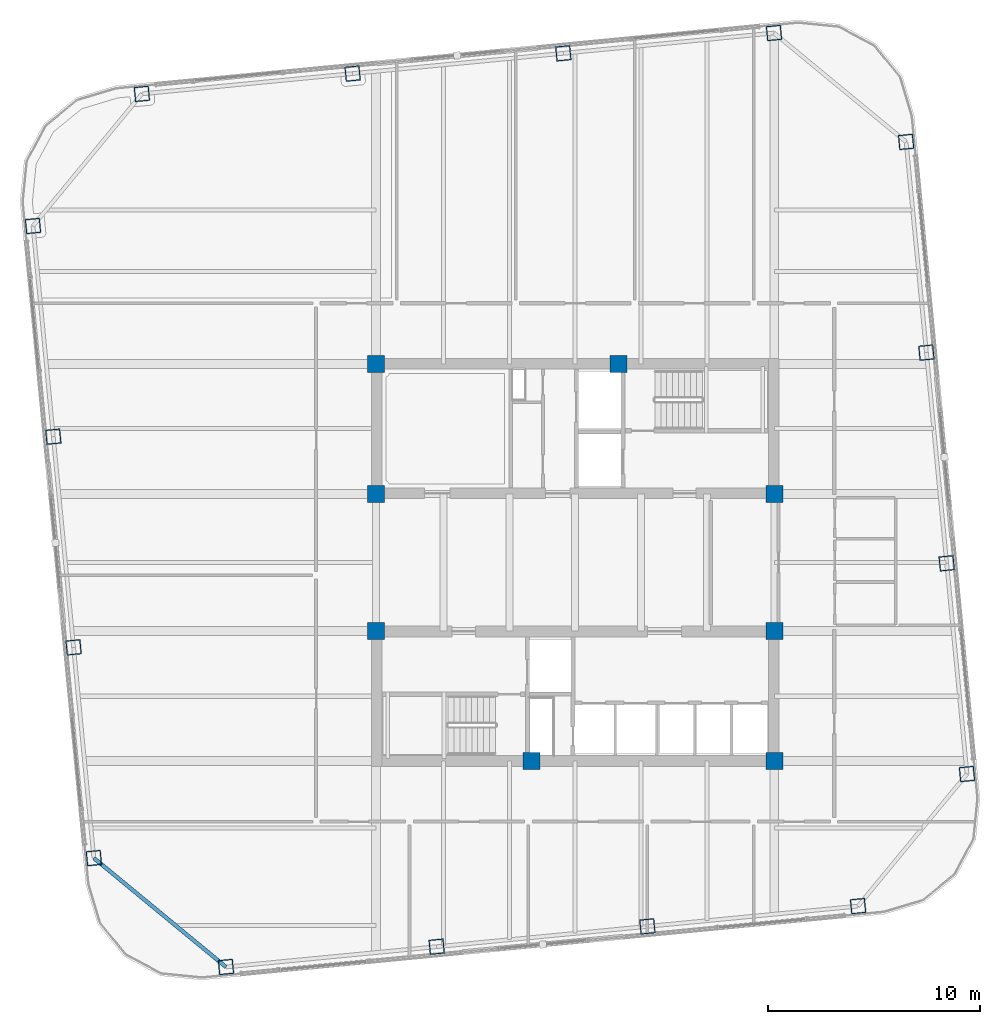
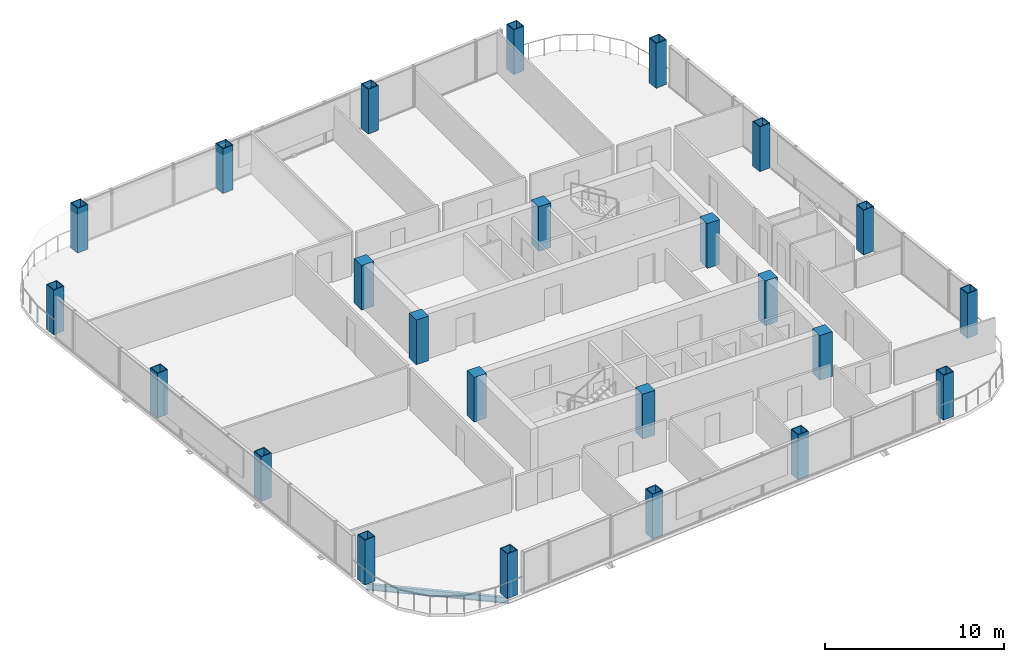
# One storey, part 1 of 22: 24 columns, 1 beam.
"""IFC4 building model written with IfcOpenShell, lengths in metres."""

from ifc_helpers import new_model, si_unit, direction, frame, origin, origin_2d, place, context, subcontext, project, spatial, rectangle, hollow_rectangle, i_section, extrude, material, material_profile, profile_set, type_object, element, save


model = new_model("IFC4")

# Units and contexts
model_context = context("Model", 3, precision=1e-05, world=origin(), true_north=direction((0.0, 1.0)))
body_context = subcontext(model_context, "Body", "Model", "MODEL_VIEW")
ifc_project = project(units=[si_unit("LENGTHUNIT", "METRE"), si_unit("AREAUNIT", "SQUARE_METRE"), si_unit("VOLUMEUNIT", "CUBIC_METRE"), si_unit("PLANEANGLEUNIT", "RADIAN"), si_unit("MASSUNIT", "GRAM", prefix="KILO")], contexts=[model_context])

# Site, building, storey
site_placement = place(None, origin())
site = spatial("IfcSite", under=ifc_project, at=site_placement, CompositionType="ELEMENT")
building_placement = place(site_placement, origin())
building = spatial("IfcBuilding", under=site, at=building_placement, Name="Qhalaya Broadcast Tower", CompositionType="ELEMENT")
storey_placement = place(building_placement, frame((0.0, 0.0, 171.39990234375)))
storey = spatial("IfcBuildingStorey", under=building, at=storey_placement, Name="L50", CompositionType="ELEMENT", Elevation=171.39990234375)

# Columns
ifc_material_1 = material(Name="Concrete C50/60", Category="concrete")
ifc_material_profile_1 = material_profile(ifc_material_1, rectangle(XDim=0.800048828125, YDim=0.800048828125, at=origin_2d()), Name="RC-COL 800x800")
ifc_profile_set_1 = profile_set([ifc_material_profile_1], Name="Concrete C50/60")
column_type_1 = type_object("IfcColumnType", Name="RC Upper Column C10", PredefinedType="COLUMN", material=ifc_profile_set_1)
for number, where, z_axis, x_axis, name in (
    (1, (-9.375, 9.949951171875, 0.0), (0.0, 0.0, 1.0), (1.0, 0.0, 0.0), "L50 Column COL-CC1"),
    (2, (2.050048828125, 9.949951171875, 0.0), (0.0, 0.0, 1.0), (1.0, 0.0, 0.0), "L50 Column COL-CC2"),
    (3, (-9.375, 3.824951171875, 0.0), (0.0, 0.0, 1.0), (1.0, 0.0, 0.0), "L50 Column COL-CC3"),
    (4, (9.375, 3.824951171875, 0.0), (0.0, 0.0, 1.0), (1.0, 0.0, 0.0), "L50 Column COL-CC4"),
    (5, (-9.375, -2.625, 0.0), (0.0, 0.0, 1.0), (1.0, 0.0, 0.0), "L50 Column COL-CC5"),
    (6, (9.375, -2.625, 0.0), (0.0, 0.0, 1.0), (1.0, 0.0, 0.0), "L50 Column COL-CC6"),
    (7, (-2.050048828125, -8.75, 0.0), (0.0, 0.0, 1.0), (1.0, 0.0, 0.0), "L50 Column COL-CC7"),
    (8, (9.375, -8.75, 0.0), (0.0, 0.0, 1.0), (1.0, 0.0, 0.0), "L50 Column COL-CC8"),
):
    element("IfcColumn", number, at=place(storey_placement, frame(where, z_axis=z_axis, x_axis=x_axis)), inside=storey, type_object=column_type_1, Name=name, PredefinedType="COLUMN", context=body_context, shape_type="SweptSolid", body=[
        extrude(rectangle(XDim=0.800048828125, YDim=0.800048828125, at=origin_2d()), origin(), (0.0, 0.0, 1.0), 3.050048828125),
    ])
ifc_material_2 = material(Name="Structural Steel ASTM A572 Grade 50", Category="steel")
ifc_material_profile_2 = material_profile(ifc_material_2, hollow_rectangle(XDim=0.699951171875, YDim=0.699951171875, WallThickness=0.044921875, at=origin_2d()), Name="BOX 700x700x45")
ifc_profile_set_2 = profile_set([ifc_material_profile_2], Name="Structural Steel ASTM A572 Grade 50")
column_type_2 = type_object("IfcColumnType", Name="Steel Box Column C04", PredefinedType="COLUMN", material=ifc_profile_set_2)
for number, where, z_axis, x_axis, name in (
    (9, (-16.44189453125, -18.44775390625, 0.0), (0.0, 0.0, 1.0), (0.995396198367, 0.09584575252, 0.0), "L50 Column COL-EX01"),
    (10, (-6.521240234375, -17.49267578125, 0.0), (0.0, 0.0, 1.0), (0.995396198367, 0.09584575252, 0.0), "L50 Column COL-EX02"),
    (11, (3.399658203125, -16.537353515625, 0.0), (0.0, 0.0, 1.0), (0.995396198367, 0.09584575252, 0.0), "L50 Column COL-EX03"),
    (12, (13.3203125, -15.58203125, 0.0), (0.0, 0.0, 1.0), (0.995396198367, 0.09584575252, 0.0), "L50 Column COL-EX04"),
    (13, (18.44775390625, -9.362060546875, 0.0), (0.0, 0.0, 1.0), (-0.09584575252, 0.995396198367, 0.0), "L50 Column COL-EX05"),
    (14, (17.49267578125, 0.558837890625, 0.0), (0.0, 0.0, 1.0), (-0.09584575252, 0.995396198367, 0.0), "L50 Column COL-EX06"),
    (15, (16.537353515625, 10.4794921875, 0.0), (0.0, 0.0, 1.0), (-0.09584575252, 0.995396198367, 0.0), "L50 Column COL-EX07"),
    (16, (15.58203125, 20.400390625, 0.0), (0.0, 0.0, 1.0), (-0.09584575252, 0.995396198367, 0.0), "L50 Column COL-EX08"),
    (17, (9.362060546875, 25.52783203125, 0.0), (0.0, 0.0, 1.0), (0.995396198367, 0.09584575252, 0.0), "L50 Column COL-EX09"),
    (18, (-0.558837890625, 24.572509765625, 0.0), (0.0, 0.0, 1.0), (0.995396198367, 0.09584575252, 0.0), "L50 Column COL-EX10"),
    (19, (-10.4794921875, 23.6171875, 0.0), (0.0, 0.0, 1.0), (0.995396198367, 0.09584575252, 0.0), "L50 Column COL-EX11"),
    (20, (-20.400390625, 22.662109375, 0.0), (0.0, 0.0, 1.0), (0.995396198367, 0.09584575252, 0.0), "L50 Column COL-EX12"),
    (21, (-25.52783203125, 16.44189453125, 0.0), (0.0, 0.0, 1.0), (-0.09584575252, 0.995396198367, 0.0), "L50 Column COL-EX13"),
    (22, (-24.572509765625, 6.521240234375, 0.0), (0.0, 0.0, 1.0), (-0.09584575252, 0.995396198367, 0.0), "L50 Column COL-EX14"),
    (23, (-23.6171875, -3.399658203125, 0.0), (0.0, 0.0, 1.0), (-0.09584575252, 0.995396198367, 0.0), "L50 Column COL-EX15"),
    (24, (-22.662109375, -13.3203125, 0.0), (0.0, 0.0, 1.0), (-0.09584575252, 0.995396198367, 0.0), "L50 Column COL-EX16"),
):
    element("IfcColumn", number, at=place(storey_placement, frame(where, z_axis=z_axis, x_axis=x_axis)), inside=storey, type_object=column_type_2, Name=name, PredefinedType="COLUMN", context=body_context, shape_type="SweptSolid", body=[
        extrude(hollow_rectangle(XDim=0.699951171875, YDim=0.699951171875, WallThickness=0.044921875, at=origin_2d()), origin(), (0.0, 0.0, 1.0), 3.050048828125),
    ])

# Beam
ifc_material_3 = material(Name="Structural Steel ASTM A992 Grade 50", Category="steel")
ifc_material_profile_3 = material_profile(ifc_material_3, i_section(OverallWidth=0.177978515625, OverallDepth=0.406005859375, WebThickness=0.0078125, FlangeThickness=0.0126953125, at=origin_2d()), Name="W16X40")
ifc_profile_set_3 = profile_set([ifc_material_profile_3], Name="Structural Steel ASTM A992 Grade 50")
beam_type = type_object("IfcBeamType", Name="Upper Perimeter Spandrel Beam SP2", PredefinedType="SPANDREL", material=ifc_profile_set_3)
beam_placement = place(storey_placement, frame((-22.662109375, -13.3203125, -0.4228515625), z_axis=(0.771631160126, -0.636070241972, 0.0), x_axis=(0.636070241972, 0.771631160126, 0.0)))
element("IfcBeam", 25, at=beam_placement, inside=storey, type_object=beam_type, Name="L50 SP2 L50-SPR-16", PredefinedType="SPANDREL", context=body_context, shape_type="SweptSolid", body=[
    extrude(i_section(OverallWidth=0.177978515625, OverallDepth=0.406005859375, WebThickness=0.0078125, FlangeThickness=0.0126953125, at=origin_2d()), origin(), (0.0, 0.0, 1.0), 8.06103515625),
])

save(model, "model.ifc")
